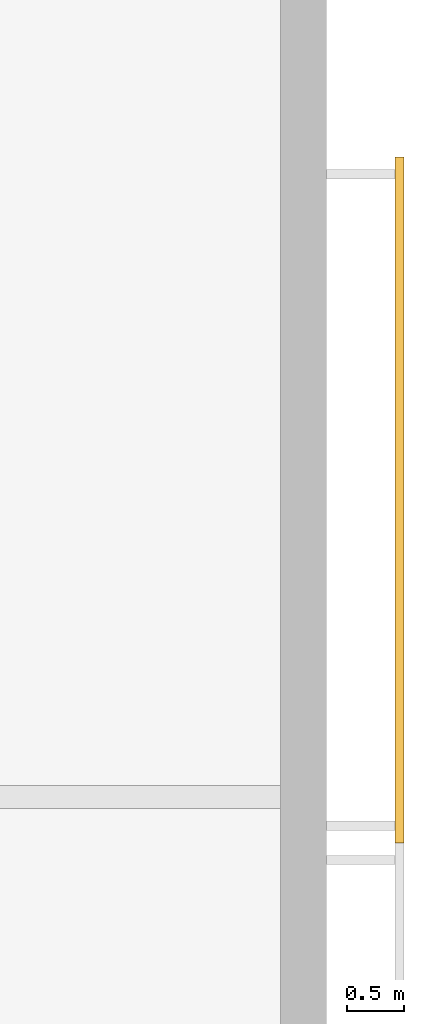
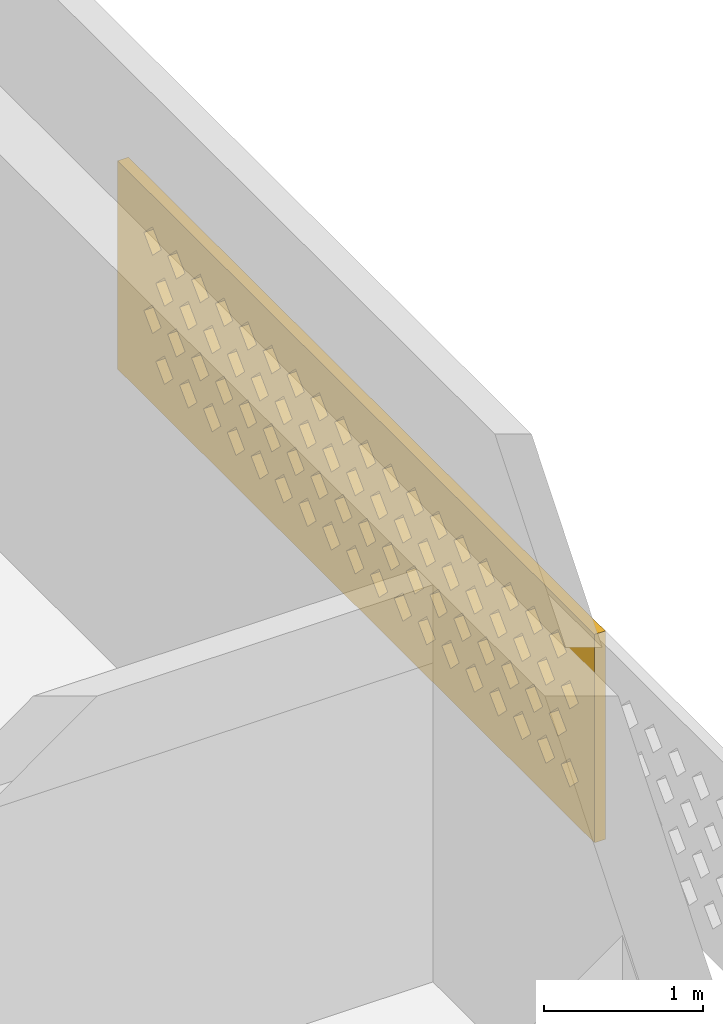
# One storey, part 6 of 7: 1 covering.
"""IFC4 building model written with IfcOpenShell, lengths in metres."""

from ifc_helpers import new_model, si_unit, direction, frame, origin, place, context, subcontext, project, spatial, polyline, outline, extrude, source, transform, mapped, material, material_profile, profile_set, type_object, element, save


model = new_model("IFC4")

# Units and contexts
model_context = context("Model", 3, precision=1e-05, world=origin(), true_north=direction((0.0, 1.0)))
body_context = subcontext(model_context, "Body", "Model", "MODEL_VIEW")
ifc_project = project(units=[si_unit("LENGTHUNIT", "METRE"), si_unit("AREAUNIT", "SQUARE_METRE"), si_unit("VOLUMEUNIT", "CUBIC_METRE"), si_unit("PLANEANGLEUNIT", "RADIAN"), si_unit("MASSUNIT", "GRAM", prefix="KILO")], contexts=[model_context])

# Site, building, storey
site_placement = place(None, origin())
site = spatial("IfcSite", under=ifc_project, at=site_placement, CompositionType="ELEMENT")
building_placement = place(site_placement, origin())
building = spatial("IfcBuilding", under=site, at=building_placement, Name="Poui Terraces", CompositionType="ELEMENT")
storey_placement = place(building_placement, frame((0.0, 0.0, 288.89990234375)))
storey = spatial("IfcBuildingStorey", under=building, at=storey_placement, Name="L80 CROWN", CompositionType="ELEMENT", Elevation=288.89990234375)

# Covering
ifc_material = material(Name="Terracotta screen", Category="masonry")
ifc_material_profile = material_profile(ifc_material, outline(polyline([(-3.0, -0.800048828125), (3.0, -0.800048828125), (3.0, 0.800048828125), (-3.0, 0.800048828125), (-3.0, -0.800048828125)]), holes=[polyline([(-2.800048828125, -0.449951171875), (-2.68994140625, -0.56005859375), (-2.580078125, -0.449951171875), (-2.68994140625, -0.340087890625), (-2.800048828125, -0.449951171875)]), polyline([(-2.5, -0.449951171875), (-2.389892578125, -0.56005859375), (-2.280029296875, -0.449951171875), (-2.389892578125, -0.340087890625), (-2.5, -0.449951171875)]), polyline([(-2.199951171875, -0.449951171875), (-2.090087890625, -0.56005859375), (-1.97998046875, -0.449951171875), (-2.090087890625, -0.340087890625), (-2.199951171875, -0.449951171875)]), polyline([(-1.89990234375, -0.449951171875), (-1.7900390625, -0.56005859375), (-1.679931640625, -0.449951171875), (-1.7900390625, -0.340087890625), (-1.89990234375, -0.449951171875)]), polyline([(-1.60009765625, -0.449951171875), (-1.489990234375, -0.56005859375), (-1.3798828125, -0.449951171875), (-1.489990234375, -0.340087890625), (-1.60009765625, -0.449951171875)]), polyline([(-1.300048828125, -0.449951171875), (-1.18994140625, -0.56005859375), (-1.080078125, -0.449951171875), (-1.18994140625, -0.340087890625), (-1.300048828125, -0.449951171875)]), polyline([(-1.0, -0.449951171875), (-0.889892578125, -0.56005859375), (-0.780029296875, -0.449951171875), (-0.889892578125, -0.340087890625), (-1.0, -0.449951171875)]), polyline([(-0.699951171875, -0.449951171875), (-0.590087890625, -0.56005859375), (-0.47998046875, -0.449951171875), (-0.590087890625, -0.340087890625), (-0.699951171875, -0.449951171875)]), polyline([(-0.39990234375, -0.449951171875), (-0.2900390625, -0.56005859375), (-0.179931640625, -0.449951171875), (-0.2900390625, -0.340087890625), (-0.39990234375, -0.449951171875)]), polyline([(-0.10009765625, -0.449951171875), (0.010009765625, -0.56005859375), (0.1201171875, -0.449951171875), (0.010009765625, -0.340087890625), (-0.10009765625, -0.449951171875)]), polyline([(0.199951171875, -0.449951171875), (0.31005859375, -0.56005859375), (0.419921875, -0.449951171875), (0.31005859375, -0.340087890625), (0.199951171875, -0.449951171875)]), polyline([(0.5, -0.449951171875), (0.610107421875, -0.56005859375), (0.719970703125, -0.449951171875), (0.610107421875, -0.340087890625), (0.5, -0.449951171875)]), polyline([(0.800048828125, -0.449951171875), (0.909912109375, -0.56005859375), (1.02001953125, -0.449951171875), (0.909912109375, -0.340087890625), (0.800048828125, -0.449951171875)]), polyline([(1.10009765625, -0.449951171875), (1.2099609375, -0.56005859375), (1.320068359375, -0.449951171875), (1.2099609375, -0.340087890625), (1.10009765625, -0.449951171875)]), polyline([(1.39990234375, -0.449951171875), (1.510009765625, -0.56005859375), (1.6201171875, -0.449951171875), (1.510009765625, -0.340087890625), (1.39990234375, -0.449951171875)]), polyline([(1.699951171875, -0.449951171875), (1.81005859375, -0.56005859375), (1.919921875, -0.449951171875), (1.81005859375, -0.340087890625), (1.699951171875, -0.449951171875)]), polyline([(2.0, -0.449951171875), (2.110107421875, -0.56005859375), (2.219970703125, -0.449951171875), (2.110107421875, -0.340087890625), (2.0, -0.449951171875)]), polyline([(2.300048828125, -0.449951171875), (2.409912109375, -0.56005859375), (2.52001953125, -0.449951171875), (2.409912109375, -0.340087890625), (2.300048828125, -0.449951171875)]), polyline([(-2.64990234375, -0.14990234375), (-2.5400390625, -0.260009765625), (-2.429931640625, -0.14990234375), (-2.5400390625, -0.0400390625), (-2.64990234375, -0.14990234375)]), polyline([(-2.35009765625, -0.14990234375), (-2.239990234375, -0.260009765625), (-2.1298828125, -0.14990234375), (-2.239990234375, -0.0400390625), (-2.35009765625, -0.14990234375)]), polyline([(-2.050048828125, -0.14990234375), (-1.93994140625, -0.260009765625), (-1.830078125, -0.14990234375), (-1.93994140625, -0.0400390625), (-2.050048828125, -0.14990234375)]), polyline([(-1.75, -0.14990234375), (-1.639892578125, -0.260009765625), (-1.530029296875, -0.14990234375), (-1.639892578125, -0.0400390625), (-1.75, -0.14990234375)]), polyline([(-1.449951171875, -0.14990234375), (-1.340087890625, -0.260009765625), (-1.22998046875, -0.14990234375), (-1.340087890625, -0.0400390625), (-1.449951171875, -0.14990234375)]), polyline([(-1.14990234375, -0.14990234375), (-1.0400390625, -0.260009765625), (-0.929931640625, -0.14990234375), (-1.0400390625, -0.0400390625), (-1.14990234375, -0.14990234375)]), polyline([(-0.85009765625, -0.14990234375), (-0.739990234375, -0.260009765625), (-0.6298828125, -0.14990234375), (-0.739990234375, -0.0400390625), (-0.85009765625, -0.14990234375)]), polyline([(-0.550048828125, -0.14990234375), (-0.43994140625, -0.260009765625), (-0.330078125, -0.14990234375), (-0.43994140625, -0.0400390625), (-0.550048828125, -0.14990234375)]), polyline([(-0.25, -0.14990234375), (-0.139892578125, -0.260009765625), (-0.030029296875, -0.14990234375), (-0.139892578125, -0.0400390625), (-0.25, -0.14990234375)]), polyline([(0.050048828125, -0.14990234375), (0.159912109375, -0.260009765625), (0.27001953125, -0.14990234375), (0.159912109375, -0.0400390625), (0.050048828125, -0.14990234375)]), polyline([(0.35009765625, -0.14990234375), (0.4599609375, -0.260009765625), (0.570068359375, -0.14990234375), (0.4599609375, -0.0400390625), (0.35009765625, -0.14990234375)]), polyline([(0.64990234375, -0.14990234375), (0.760009765625, -0.260009765625), (0.8701171875, -0.14990234375), (0.760009765625, -0.0400390625), (0.64990234375, -0.14990234375)]), polyline([(0.949951171875, -0.14990234375), (1.06005859375, -0.260009765625), (1.169921875, -0.14990234375), (1.06005859375, -0.0400390625), (0.949951171875, -0.14990234375)]), polyline([(1.25, -0.14990234375), (1.360107421875, -0.260009765625), (1.469970703125, -0.14990234375), (1.360107421875, -0.0400390625), (1.25, -0.14990234375)]), polyline([(1.550048828125, -0.14990234375), (1.659912109375, -0.260009765625), (1.77001953125, -0.14990234375), (1.659912109375, -0.0400390625), (1.550048828125, -0.14990234375)]), polyline([(1.85009765625, -0.14990234375), (1.9599609375, -0.260009765625), (2.070068359375, -0.14990234375), (1.9599609375, -0.0400390625), (1.85009765625, -0.14990234375)]), polyline([(2.14990234375, -0.14990234375), (2.260009765625, -0.260009765625), (2.3701171875, -0.14990234375), (2.260009765625, -0.0400390625), (2.14990234375, -0.14990234375)]), polyline([(2.449951171875, -0.14990234375), (2.56005859375, -0.260009765625), (2.669921875, -0.14990234375), (2.56005859375, -0.0400390625), (2.449951171875, -0.14990234375)]), polyline([(-2.800048828125, 0.14990234375), (-2.68994140625, 0.0400390625), (-2.580078125, 0.14990234375), (-2.68994140625, 0.260009765625), (-2.800048828125, 0.14990234375)]), polyline([(-2.5, 0.14990234375), (-2.389892578125, 0.0400390625), (-2.280029296875, 0.14990234375), (-2.389892578125, 0.260009765625), (-2.5, 0.14990234375)]), polyline([(-2.199951171875, 0.14990234375), (-2.090087890625, 0.0400390625), (-1.97998046875, 0.14990234375), (-2.090087890625, 0.260009765625), (-2.199951171875, 0.14990234375)]), polyline([(-1.89990234375, 0.14990234375), (-1.7900390625, 0.0400390625), (-1.679931640625, 0.14990234375), (-1.7900390625, 0.260009765625), (-1.89990234375, 0.14990234375)]), polyline([(-1.60009765625, 0.14990234375), (-1.489990234375, 0.0400390625), (-1.3798828125, 0.14990234375), (-1.489990234375, 0.260009765625), (-1.60009765625, 0.14990234375)]), polyline([(-1.300048828125, 0.14990234375), (-1.18994140625, 0.0400390625), (-1.080078125, 0.14990234375), (-1.18994140625, 0.260009765625), (-1.300048828125, 0.14990234375)]), polyline([(-1.0, 0.14990234375), (-0.889892578125, 0.0400390625), (-0.780029296875, 0.14990234375), (-0.889892578125, 0.260009765625), (-1.0, 0.14990234375)]), polyline([(-0.699951171875, 0.14990234375), (-0.590087890625, 0.0400390625), (-0.47998046875, 0.14990234375), (-0.590087890625, 0.260009765625), (-0.699951171875, 0.14990234375)]), polyline([(-0.39990234375, 0.14990234375), (-0.2900390625, 0.0400390625), (-0.179931640625, 0.14990234375), (-0.2900390625, 0.260009765625), (-0.39990234375, 0.14990234375)]), polyline([(-0.10009765625, 0.14990234375), (0.010009765625, 0.0400390625), (0.1201171875, 0.14990234375), (0.010009765625, 0.260009765625), (-0.10009765625, 0.14990234375)]), polyline([(0.199951171875, 0.14990234375), (0.31005859375, 0.0400390625), (0.419921875, 0.14990234375), (0.31005859375, 0.260009765625), (0.199951171875, 0.14990234375)]), polyline([(0.5, 0.14990234375), (0.610107421875, 0.0400390625), (0.719970703125, 0.14990234375), (0.610107421875, 0.260009765625), (0.5, 0.14990234375)]), polyline([(0.800048828125, 0.14990234375), (0.909912109375, 0.0400390625), (1.02001953125, 0.14990234375), (0.909912109375, 0.260009765625), (0.800048828125, 0.14990234375)]), polyline([(1.10009765625, 0.14990234375), (1.2099609375, 0.0400390625), (1.320068359375, 0.14990234375), (1.2099609375, 0.260009765625), (1.10009765625, 0.14990234375)]), polyline([(1.39990234375, 0.14990234375), (1.510009765625, 0.0400390625), (1.6201171875, 0.14990234375), (1.510009765625, 0.260009765625), (1.39990234375, 0.14990234375)]), polyline([(1.699951171875, 0.14990234375), (1.81005859375, 0.0400390625), (1.919921875, 0.14990234375), (1.81005859375, 0.260009765625), (1.699951171875, 0.14990234375)]), polyline([(2.0, 0.14990234375), (2.110107421875, 0.0400390625), (2.219970703125, 0.14990234375), (2.110107421875, 0.260009765625), (2.0, 0.14990234375)]), polyline([(2.300048828125, 0.14990234375), (2.409912109375, 0.0400390625), (2.52001953125, 0.14990234375), (2.409912109375, 0.260009765625), (2.300048828125, 0.14990234375)]), polyline([(-2.64990234375, 0.449951171875), (-2.5400390625, 0.340087890625), (-2.429931640625, 0.449951171875), (-2.5400390625, 0.56005859375), (-2.64990234375, 0.449951171875)]), polyline([(-2.35009765625, 0.449951171875), (-2.239990234375, 0.340087890625), (-2.1298828125, 0.449951171875), (-2.239990234375, 0.56005859375), (-2.35009765625, 0.449951171875)]), polyline([(-2.050048828125, 0.449951171875), (-1.93994140625, 0.340087890625), (-1.830078125, 0.449951171875), (-1.93994140625, 0.56005859375), (-2.050048828125, 0.449951171875)]), polyline([(-1.75, 0.449951171875), (-1.639892578125, 0.340087890625), (-1.530029296875, 0.449951171875), (-1.639892578125, 0.56005859375), (-1.75, 0.449951171875)]), polyline([(-1.449951171875, 0.449951171875), (-1.340087890625, 0.340087890625), (-1.22998046875, 0.449951171875), (-1.340087890625, 0.56005859375), (-1.449951171875, 0.449951171875)]), polyline([(-1.14990234375, 0.449951171875), (-1.0400390625, 0.340087890625), (-0.929931640625, 0.449951171875), (-1.0400390625, 0.56005859375), (-1.14990234375, 0.449951171875)]), polyline([(-0.85009765625, 0.449951171875), (-0.739990234375, 0.340087890625), (-0.6298828125, 0.449951171875), (-0.739990234375, 0.56005859375), (-0.85009765625, 0.449951171875)]), polyline([(-0.550048828125, 0.449951171875), (-0.43994140625, 0.340087890625), (-0.330078125, 0.449951171875), (-0.43994140625, 0.56005859375), (-0.550048828125, 0.449951171875)]), polyline([(-0.25, 0.449951171875), (-0.139892578125, 0.340087890625), (-0.030029296875, 0.449951171875), (-0.139892578125, 0.56005859375), (-0.25, 0.449951171875)]), polyline([(0.050048828125, 0.449951171875), (0.159912109375, 0.340087890625), (0.27001953125, 0.449951171875), (0.159912109375, 0.56005859375), (0.050048828125, 0.449951171875)]), polyline([(0.35009765625, 0.449951171875), (0.4599609375, 0.340087890625), (0.570068359375, 0.449951171875), (0.4599609375, 0.56005859375), (0.35009765625, 0.449951171875)]), polyline([(0.64990234375, 0.449951171875), (0.760009765625, 0.340087890625), (0.8701171875, 0.449951171875), (0.760009765625, 0.56005859375), (0.64990234375, 0.449951171875)]), polyline([(0.949951171875, 0.449951171875), (1.06005859375, 0.340087890625), (1.169921875, 0.449951171875), (1.06005859375, 0.56005859375), (0.949951171875, 0.449951171875)]), polyline([(1.25, 0.449951171875), (1.360107421875, 0.340087890625), (1.469970703125, 0.449951171875), (1.360107421875, 0.56005859375), (1.25, 0.449951171875)]), polyline([(1.550048828125, 0.449951171875), (1.659912109375, 0.340087890625), (1.77001953125, 0.449951171875), (1.659912109375, 0.56005859375), (1.550048828125, 0.449951171875)]), polyline([(1.85009765625, 0.449951171875), (1.9599609375, 0.340087890625), (2.070068359375, 0.449951171875), (1.9599609375, 0.56005859375), (1.85009765625, 0.449951171875)]), polyline([(2.14990234375, 0.449951171875), (2.260009765625, 0.340087890625), (2.3701171875, 0.449951171875), (2.260009765625, 0.56005859375), (2.14990234375, 0.449951171875)]), polyline([(2.449951171875, 0.449951171875), (2.56005859375, 0.340087890625), (2.669921875, 0.449951171875), (2.56005859375, 0.56005859375), (2.449951171875, 0.449951171875)])]), Name="TERRACOTTA SOLAR SCREEN 6000X1600")
ifc_profile_set = profile_set([ifc_material_profile], Name="Terracotta screen")
covering_type = type_object("IfcCoveringType", Name="TERRACOTTA SOLAR SCREEN 6000X1600", PredefinedType="CLADDING", material=ifc_profile_set)
shared_shape = source(origin(), body_context, "Body", "SweptSolid", [
    extrude(outline(polyline([(-3.0, -0.800048828125), (3.0, -0.800048828125), (3.0, 0.800048828125), (-3.0, 0.800048828125), (-3.0, -0.800048828125)]), holes=[polyline([(-2.800048828125, -0.449951171875), (-2.68994140625, -0.56005859375), (-2.580078125, -0.449951171875), (-2.68994140625, -0.340087890625), (-2.800048828125, -0.449951171875)]), polyline([(-2.5, -0.449951171875), (-2.389892578125, -0.56005859375), (-2.280029296875, -0.449951171875), (-2.389892578125, -0.340087890625), (-2.5, -0.449951171875)]), polyline([(-2.199951171875, -0.449951171875), (-2.090087890625, -0.56005859375), (-1.97998046875, -0.449951171875), (-2.090087890625, -0.340087890625), (-2.199951171875, -0.449951171875)]), polyline([(-1.89990234375, -0.449951171875), (-1.7900390625, -0.56005859375), (-1.679931640625, -0.449951171875), (-1.7900390625, -0.340087890625), (-1.89990234375, -0.449951171875)]), polyline([(-1.60009765625, -0.449951171875), (-1.489990234375, -0.56005859375), (-1.3798828125, -0.449951171875), (-1.489990234375, -0.340087890625), (-1.60009765625, -0.449951171875)]), polyline([(-1.300048828125, -0.449951171875), (-1.18994140625, -0.56005859375), (-1.080078125, -0.449951171875), (-1.18994140625, -0.340087890625), (-1.300048828125, -0.449951171875)]), polyline([(-1.0, -0.449951171875), (-0.889892578125, -0.56005859375), (-0.780029296875, -0.449951171875), (-0.889892578125, -0.340087890625), (-1.0, -0.449951171875)]), polyline([(-0.699951171875, -0.449951171875), (-0.590087890625, -0.56005859375), (-0.47998046875, -0.449951171875), (-0.590087890625, -0.340087890625), (-0.699951171875, -0.449951171875)]), polyline([(-0.39990234375, -0.449951171875), (-0.2900390625, -0.56005859375), (-0.179931640625, -0.449951171875), (-0.2900390625, -0.340087890625), (-0.39990234375, -0.449951171875)]), polyline([(-0.10009765625, -0.449951171875), (0.010009765625, -0.56005859375), (0.1201171875, -0.449951171875), (0.010009765625, -0.340087890625), (-0.10009765625, -0.449951171875)]), polyline([(0.199951171875, -0.449951171875), (0.31005859375, -0.56005859375), (0.419921875, -0.449951171875), (0.31005859375, -0.340087890625), (0.199951171875, -0.449951171875)]), polyline([(0.5, -0.449951171875), (0.610107421875, -0.56005859375), (0.719970703125, -0.449951171875), (0.610107421875, -0.340087890625), (0.5, -0.449951171875)]), polyline([(0.800048828125, -0.449951171875), (0.909912109375, -0.56005859375), (1.02001953125, -0.449951171875), (0.909912109375, -0.340087890625), (0.800048828125, -0.449951171875)]), polyline([(1.10009765625, -0.449951171875), (1.2099609375, -0.56005859375), (1.320068359375, -0.449951171875), (1.2099609375, -0.340087890625), (1.10009765625, -0.449951171875)]), polyline([(1.39990234375, -0.449951171875), (1.510009765625, -0.56005859375), (1.6201171875, -0.449951171875), (1.510009765625, -0.340087890625), (1.39990234375, -0.449951171875)]), polyline([(1.699951171875, -0.449951171875), (1.81005859375, -0.56005859375), (1.919921875, -0.449951171875), (1.81005859375, -0.340087890625), (1.699951171875, -0.449951171875)]), polyline([(2.0, -0.449951171875), (2.110107421875, -0.56005859375), (2.219970703125, -0.449951171875), (2.110107421875, -0.340087890625), (2.0, -0.449951171875)]), polyline([(2.300048828125, -0.449951171875), (2.409912109375, -0.56005859375), (2.52001953125, -0.449951171875), (2.409912109375, -0.340087890625), (2.300048828125, -0.449951171875)]), polyline([(-2.64990234375, -0.14990234375), (-2.5400390625, -0.260009765625), (-2.429931640625, -0.14990234375), (-2.5400390625, -0.0400390625), (-2.64990234375, -0.14990234375)]), polyline([(-2.35009765625, -0.14990234375), (-2.239990234375, -0.260009765625), (-2.1298828125, -0.14990234375), (-2.239990234375, -0.0400390625), (-2.35009765625, -0.14990234375)]), polyline([(-2.050048828125, -0.14990234375), (-1.93994140625, -0.260009765625), (-1.830078125, -0.14990234375), (-1.93994140625, -0.0400390625), (-2.050048828125, -0.14990234375)]), polyline([(-1.75, -0.14990234375), (-1.639892578125, -0.260009765625), (-1.530029296875, -0.14990234375), (-1.639892578125, -0.0400390625), (-1.75, -0.14990234375)]), polyline([(-1.449951171875, -0.14990234375), (-1.340087890625, -0.260009765625), (-1.22998046875, -0.14990234375), (-1.340087890625, -0.0400390625), (-1.449951171875, -0.14990234375)]), polyline([(-1.14990234375, -0.14990234375), (-1.0400390625, -0.260009765625), (-0.929931640625, -0.14990234375), (-1.0400390625, -0.0400390625), (-1.14990234375, -0.14990234375)]), polyline([(-0.85009765625, -0.14990234375), (-0.739990234375, -0.260009765625), (-0.6298828125, -0.14990234375), (-0.739990234375, -0.0400390625), (-0.85009765625, -0.14990234375)]), polyline([(-0.550048828125, -0.14990234375), (-0.43994140625, -0.260009765625), (-0.330078125, -0.14990234375), (-0.43994140625, -0.0400390625), (-0.550048828125, -0.14990234375)]), polyline([(-0.25, -0.14990234375), (-0.139892578125, -0.260009765625), (-0.030029296875, -0.14990234375), (-0.139892578125, -0.0400390625), (-0.25, -0.14990234375)]), polyline([(0.050048828125, -0.14990234375), (0.159912109375, -0.260009765625), (0.27001953125, -0.14990234375), (0.159912109375, -0.0400390625), (0.050048828125, -0.14990234375)]), polyline([(0.35009765625, -0.14990234375), (0.4599609375, -0.260009765625), (0.570068359375, -0.14990234375), (0.4599609375, -0.0400390625), (0.35009765625, -0.14990234375)]), polyline([(0.64990234375, -0.14990234375), (0.760009765625, -0.260009765625), (0.8701171875, -0.14990234375), (0.760009765625, -0.0400390625), (0.64990234375, -0.14990234375)]), polyline([(0.949951171875, -0.14990234375), (1.06005859375, -0.260009765625), (1.169921875, -0.14990234375), (1.06005859375, -0.0400390625), (0.949951171875, -0.14990234375)]), polyline([(1.25, -0.14990234375), (1.360107421875, -0.260009765625), (1.469970703125, -0.14990234375), (1.360107421875, -0.0400390625), (1.25, -0.14990234375)]), polyline([(1.550048828125, -0.14990234375), (1.659912109375, -0.260009765625), (1.77001953125, -0.14990234375), (1.659912109375, -0.0400390625), (1.550048828125, -0.14990234375)]), polyline([(1.85009765625, -0.14990234375), (1.9599609375, -0.260009765625), (2.070068359375, -0.14990234375), (1.9599609375, -0.0400390625), (1.85009765625, -0.14990234375)]), polyline([(2.14990234375, -0.14990234375), (2.260009765625, -0.260009765625), (2.3701171875, -0.14990234375), (2.260009765625, -0.0400390625), (2.14990234375, -0.14990234375)]), polyline([(2.449951171875, -0.14990234375), (2.56005859375, -0.260009765625), (2.669921875, -0.14990234375), (2.56005859375, -0.0400390625), (2.449951171875, -0.14990234375)]), polyline([(-2.800048828125, 0.14990234375), (-2.68994140625, 0.0400390625), (-2.580078125, 0.14990234375), (-2.68994140625, 0.260009765625), (-2.800048828125, 0.14990234375)]), polyline([(-2.5, 0.14990234375), (-2.389892578125, 0.0400390625), (-2.280029296875, 0.14990234375), (-2.389892578125, 0.260009765625), (-2.5, 0.14990234375)]), polyline([(-2.199951171875, 0.14990234375), (-2.090087890625, 0.0400390625), (-1.97998046875, 0.14990234375), (-2.090087890625, 0.260009765625), (-2.199951171875, 0.14990234375)]), polyline([(-1.89990234375, 0.14990234375), (-1.7900390625, 0.0400390625), (-1.679931640625, 0.14990234375), (-1.7900390625, 0.260009765625), (-1.89990234375, 0.14990234375)]), polyline([(-1.60009765625, 0.14990234375), (-1.489990234375, 0.0400390625), (-1.3798828125, 0.14990234375), (-1.489990234375, 0.260009765625), (-1.60009765625, 0.14990234375)]), polyline([(-1.300048828125, 0.14990234375), (-1.18994140625, 0.0400390625), (-1.080078125, 0.14990234375), (-1.18994140625, 0.260009765625), (-1.300048828125, 0.14990234375)]), polyline([(-1.0, 0.14990234375), (-0.889892578125, 0.0400390625), (-0.780029296875, 0.14990234375), (-0.889892578125, 0.260009765625), (-1.0, 0.14990234375)]), polyline([(-0.699951171875, 0.14990234375), (-0.590087890625, 0.0400390625), (-0.47998046875, 0.14990234375), (-0.590087890625, 0.260009765625), (-0.699951171875, 0.14990234375)]), polyline([(-0.39990234375, 0.14990234375), (-0.2900390625, 0.0400390625), (-0.179931640625, 0.14990234375), (-0.2900390625, 0.260009765625), (-0.39990234375, 0.14990234375)]), polyline([(-0.10009765625, 0.14990234375), (0.010009765625, 0.0400390625), (0.1201171875, 0.14990234375), (0.010009765625, 0.260009765625), (-0.10009765625, 0.14990234375)]), polyline([(0.199951171875, 0.14990234375), (0.31005859375, 0.0400390625), (0.419921875, 0.14990234375), (0.31005859375, 0.260009765625), (0.199951171875, 0.14990234375)]), polyline([(0.5, 0.14990234375), (0.610107421875, 0.0400390625), (0.719970703125, 0.14990234375), (0.610107421875, 0.260009765625), (0.5, 0.14990234375)]), polyline([(0.800048828125, 0.14990234375), (0.909912109375, 0.0400390625), (1.02001953125, 0.14990234375), (0.909912109375, 0.260009765625), (0.800048828125, 0.14990234375)]), polyline([(1.10009765625, 0.14990234375), (1.2099609375, 0.0400390625), (1.320068359375, 0.14990234375), (1.2099609375, 0.260009765625), (1.10009765625, 0.14990234375)]), polyline([(1.39990234375, 0.14990234375), (1.510009765625, 0.0400390625), (1.6201171875, 0.14990234375), (1.510009765625, 0.260009765625), (1.39990234375, 0.14990234375)]), polyline([(1.699951171875, 0.14990234375), (1.81005859375, 0.0400390625), (1.919921875, 0.14990234375), (1.81005859375, 0.260009765625), (1.699951171875, 0.14990234375)]), polyline([(2.0, 0.14990234375), (2.110107421875, 0.0400390625), (2.219970703125, 0.14990234375), (2.110107421875, 0.260009765625), (2.0, 0.14990234375)]), polyline([(2.300048828125, 0.14990234375), (2.409912109375, 0.0400390625), (2.52001953125, 0.14990234375), (2.409912109375, 0.260009765625), (2.300048828125, 0.14990234375)]), polyline([(-2.64990234375, 0.449951171875), (-2.5400390625, 0.340087890625), (-2.429931640625, 0.449951171875), (-2.5400390625, 0.56005859375), (-2.64990234375, 0.449951171875)]), polyline([(-2.35009765625, 0.449951171875), (-2.239990234375, 0.340087890625), (-2.1298828125, 0.449951171875), (-2.239990234375, 0.56005859375), (-2.35009765625, 0.449951171875)]), polyline([(-2.050048828125, 0.449951171875), (-1.93994140625, 0.340087890625), (-1.830078125, 0.449951171875), (-1.93994140625, 0.56005859375), (-2.050048828125, 0.449951171875)]), polyline([(-1.75, 0.449951171875), (-1.639892578125, 0.340087890625), (-1.530029296875, 0.449951171875), (-1.639892578125, 0.56005859375), (-1.75, 0.449951171875)]), polyline([(-1.449951171875, 0.449951171875), (-1.340087890625, 0.340087890625), (-1.22998046875, 0.449951171875), (-1.340087890625, 0.56005859375), (-1.449951171875, 0.449951171875)]), polyline([(-1.14990234375, 0.449951171875), (-1.0400390625, 0.340087890625), (-0.929931640625, 0.449951171875), (-1.0400390625, 0.56005859375), (-1.14990234375, 0.449951171875)]), polyline([(-0.85009765625, 0.449951171875), (-0.739990234375, 0.340087890625), (-0.6298828125, 0.449951171875), (-0.739990234375, 0.56005859375), (-0.85009765625, 0.449951171875)]), polyline([(-0.550048828125, 0.449951171875), (-0.43994140625, 0.340087890625), (-0.330078125, 0.449951171875), (-0.43994140625, 0.56005859375), (-0.550048828125, 0.449951171875)]), polyline([(-0.25, 0.449951171875), (-0.139892578125, 0.340087890625), (-0.030029296875, 0.449951171875), (-0.139892578125, 0.56005859375), (-0.25, 0.449951171875)]), polyline([(0.050048828125, 0.449951171875), (0.159912109375, 0.340087890625), (0.27001953125, 0.449951171875), (0.159912109375, 0.56005859375), (0.050048828125, 0.449951171875)]), polyline([(0.35009765625, 0.449951171875), (0.4599609375, 0.340087890625), (0.570068359375, 0.449951171875), (0.4599609375, 0.56005859375), (0.35009765625, 0.449951171875)]), polyline([(0.64990234375, 0.449951171875), (0.760009765625, 0.340087890625), (0.8701171875, 0.449951171875), (0.760009765625, 0.56005859375), (0.64990234375, 0.449951171875)]), polyline([(0.949951171875, 0.449951171875), (1.06005859375, 0.340087890625), (1.169921875, 0.449951171875), (1.06005859375, 0.56005859375), (0.949951171875, 0.449951171875)]), polyline([(1.25, 0.449951171875), (1.360107421875, 0.340087890625), (1.469970703125, 0.449951171875), (1.360107421875, 0.56005859375), (1.25, 0.449951171875)]), polyline([(1.550048828125, 0.449951171875), (1.659912109375, 0.340087890625), (1.77001953125, 0.449951171875), (1.659912109375, 0.56005859375), (1.550048828125, 0.449951171875)]), polyline([(1.85009765625, 0.449951171875), (1.9599609375, 0.340087890625), (2.070068359375, 0.449951171875), (1.9599609375, 0.56005859375), (1.85009765625, 0.449951171875)]), polyline([(2.14990234375, 0.449951171875), (2.260009765625, 0.340087890625), (2.3701171875, 0.449951171875), (2.260009765625, 0.56005859375), (2.14990234375, 0.449951171875)]), polyline([(2.449951171875, 0.449951171875), (2.56005859375, 0.340087890625), (2.669921875, 0.449951171875), (2.56005859375, 0.56005859375), (2.449951171875, 0.449951171875)])]), origin(), (0.0, 0.0, 1.0), 0.079833984375),
])
covering_placement = place(storey_placement, frame((48.800048828125, 33.0, 1.7001953125), z_axis=(1.0, 0.0, 0.0), x_axis=(0.0, 1.0, 0.0)))
element("IfcCovering", 1, at=covering_placement, inside=storey, type_object=covering_type, Name="SOLAR SCREEN", PredefinedType="CLADDING", context=body_context, shape_type="MappedRepresentation", body=[
    mapped(shared_shape, transform((0.0, 0.0, 0.0))),
])

save(model, "model.ifc")
